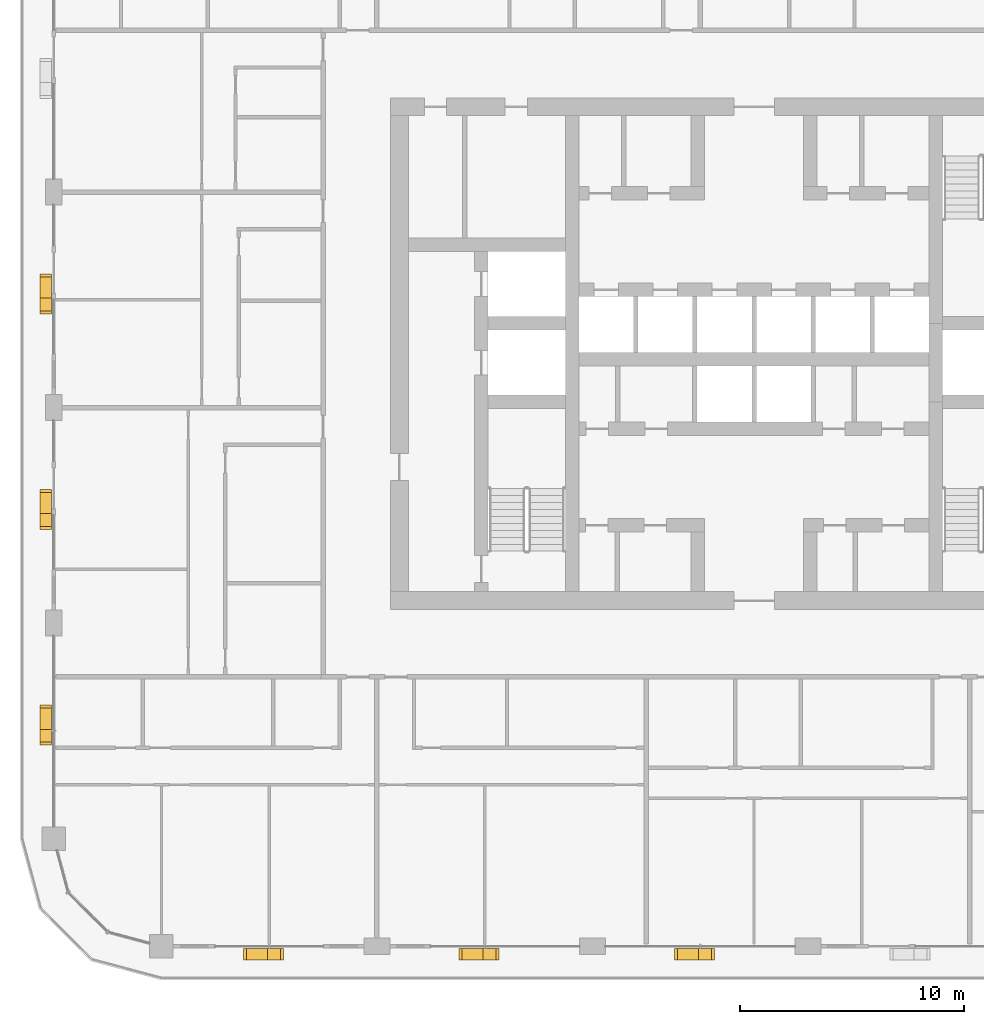
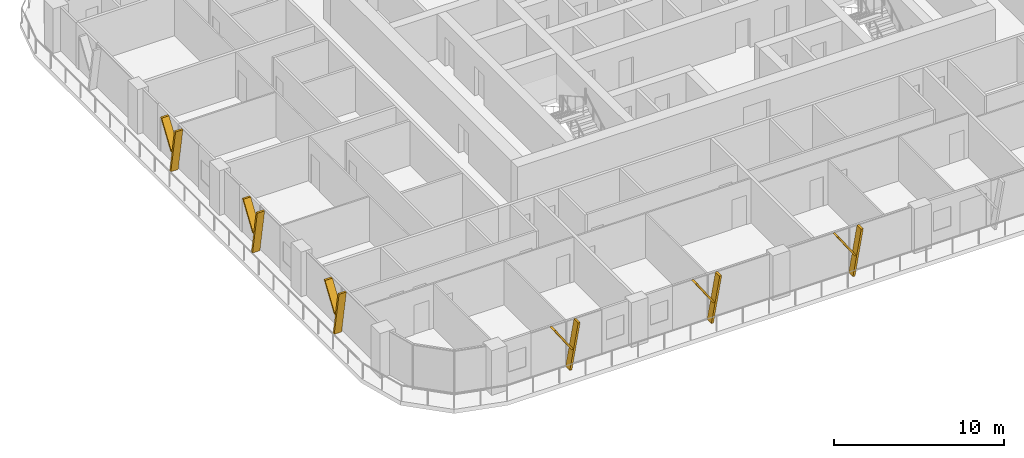
# One storey, part 17 of 22: 12 shading devices.
"""IFC4 building model written with IfcOpenShell, lengths in metres."""

from ifc_helpers import new_model, si_unit, direction, frame, origin, place, context, subcontext, project, spatial, polyline, outline, extrude, material, type_object, element, save


model = new_model("IFC4")

# Units and contexts
model_context = context("Model", 3, precision=1e-05, world=origin(), true_north=direction((0.0, 1.0)))
body_context = subcontext(model_context, "Body", "Model", "MODEL_VIEW")
ifc_project = project(units=[si_unit("LENGTHUNIT", "METRE"), si_unit("AREAUNIT", "SQUARE_METRE"), si_unit("VOLUMEUNIT", "CUBIC_METRE"), si_unit("PLANEANGLEUNIT", "RADIAN"), si_unit("MASSUNIT", "GRAM", prefix="KILO")], contexts=[model_context])

# Site, building, storey
site_placement = place(None, origin())
site = spatial("IfcSite", under=ifc_project, at=site_placement, CompositionType="ELEMENT")
building_placement = place(site_placement, origin())
building = spatial("IfcBuilding", under=site, at=building_placement, Name="Madar Terraces", CompositionType="ELEMENT")
storey_placement = place(building_placement, frame((0.0, 0.0, 156.0)))
storey = spatial("IfcBuildingStorey", under=building, at=storey_placement, Name="L40", CompositionType="ELEMENT", Elevation=156.0)

# Shading devices
ifc_material = material(Name="Aluminium, black anodised", Category="aluminium")
shading_device_type = type_object("IfcShadingDeviceType", Name="Facade fin blade 140 x 500", PredefinedType="USERDEFINED", material=ifc_material)
shading_device_1_placement = place(storey_placement, frame((9.530029296875, -0.35009765625, 0.0), z_axis=(0.0, 0.0, 1.0), x_axis=(1.0, 0.0, 0.0)))
element("IfcShadingDevice", 1, at=shading_device_1_placement, inside=storey, type_object=shading_device_type, Name="FIN L40 S1", ObjectType="FIN", PredefinedType="USERDEFINED", context=body_context, shape_type="SweptSolid", body=[
    extrude(outline(polyline([(0.0, 0.0), (0.139892578125, 0.0), (0.704345703125, 3.199951171875), (0.564208984375, 3.199951171875), (0.0, 0.0)])), frame((0.0, 0.25, 0.0), z_axis=(0.0, -1.0, 0.0), x_axis=(1.0, 0.0, 0.0)), (0.0, 0.0, 1.0), 0.5),
])
shading_device_2_placement = place(storey_placement, frame((9.643798828125, -0.35009765625, 1.43994140625), z_axis=(0.0, 0.0, 1.0), x_axis=(1.0, 0.0, 0.0)))
element("IfcShadingDevice", 2, at=shading_device_2_placement, inside=storey, type_object=shading_device_type, Name="FIN L40 S1 branch", ObjectType="FIN", PredefinedType="USERDEFINED", context=body_context, shape_type="SweptSolid", body=[
    extrude(outline(polyline([(0.0, 0.0), (0.14013671875, 0.0), (-1.049560546875, 1.760009765625), (-1.189697265625, 1.760009765625), (0.0, 0.0)])), frame((0.0, 0.25, 0.0), z_axis=(0.0, -1.0, 0.0), x_axis=(1.0, 0.0, 0.0)), (0.0, 0.0, 1.0), 0.5),
])
shading_device_3_placement = place(storey_placement, frame((19.1298828125, -0.35009765625, 0.0), z_axis=(0.0, 0.0, 1.0), x_axis=(1.0, 0.0, 0.0)))
element("IfcShadingDevice", 3, at=shading_device_3_placement, inside=storey, type_object=shading_device_type, Name="FIN L40 S2", ObjectType="FIN", PredefinedType="USERDEFINED", context=body_context, shape_type="SweptSolid", body=[
    extrude(outline(polyline([(0.0, 0.0), (0.14013671875, 0.0), (0.704345703125, 3.199951171875), (0.564208984375, 3.199951171875), (0.0, 0.0)])), frame((0.0, 0.25, 0.0), z_axis=(0.0, -1.0, 0.0), x_axis=(1.0, 0.0, 0.0)), (0.0, 0.0, 1.0), 0.5),
])
shading_device_4_placement = place(storey_placement, frame((19.243896484375, -0.35009765625, 1.43994140625), z_axis=(0.0, 0.0, 1.0), x_axis=(1.0, 0.0, 0.0)))
element("IfcShadingDevice", 4, at=shading_device_4_placement, inside=storey, type_object=shading_device_type, Name="FIN L40 S2 branch", ObjectType="FIN", PredefinedType="USERDEFINED", context=body_context, shape_type="SweptSolid", body=[
    extrude(outline(polyline([(0.0, 0.0), (0.139892578125, 0.0), (-1.049560546875, 1.760009765625), (-1.189697265625, 1.760009765625), (0.0, 0.0)])), frame((0.0, 0.25, 0.0), z_axis=(0.0, -1.0, 0.0), x_axis=(1.0, 0.0, 0.0)), (0.0, 0.0, 1.0), 0.5),
])
shading_device_5_placement = place(storey_placement, frame((28.72998046875, -0.35009765625, 0.0), z_axis=(0.0, 0.0, 1.0), x_axis=(1.0, 0.0, 0.0)))
element("IfcShadingDevice", 5, at=shading_device_5_placement, inside=storey, type_object=shading_device_type, Name="FIN L40 S3", ObjectType="FIN", PredefinedType="USERDEFINED", context=body_context, shape_type="SweptSolid", body=[
    extrude(outline(polyline([(0.0, 0.0), (0.14013671875, 0.0), (0.704345703125, 3.199951171875), (0.564208984375, 3.199951171875), (0.0, 0.0)])), frame((0.0, 0.25, 0.0), z_axis=(0.0, -1.0, 0.0), x_axis=(1.0, 0.0, 0.0)), (0.0, 0.0, 1.0), 0.5),
])
shading_device_6_placement = place(storey_placement, frame((28.843994140625, -0.35009765625, 1.43994140625), z_axis=(0.0, 0.0, 1.0), x_axis=(1.0, 0.0, 0.0)))
element("IfcShadingDevice", 6, at=shading_device_6_placement, inside=storey, type_object=shading_device_type, Name="FIN L40 S3 branch", ObjectType="FIN", PredefinedType="USERDEFINED", context=body_context, shape_type="SweptSolid", body=[
    extrude(outline(polyline([(0.0, 0.0), (0.139892578125, 0.0), (-1.049560546875, 1.760009765625), (-1.189697265625, 1.760009765625), (0.0, 0.0)])), frame((0.0, 0.25, 0.0), z_axis=(0.0, -1.0, 0.0), x_axis=(1.0, 0.0, 0.0)), (0.0, 0.0, 1.0), 0.5),
])
shading_device_7_placement = place(storey_placement, frame((-0.35009765625, 28.8701171875, 0.0), z_axis=(0.0, 0.0, 1.0), x_axis=(0.0, -1.0, 0.0)))
element("IfcShadingDevice", 7, at=shading_device_7_placement, inside=storey, type_object=shading_device_type, Name="FIN L40 W2", ObjectType="FIN", PredefinedType="USERDEFINED", context=body_context, shape_type="SweptSolid", body=[
    extrude(outline(polyline([(0.0, 0.0), (0.14013671875, 0.0), (0.704345703125, 3.199951171875), (0.564208984375, 3.199951171875), (0.0, 0.0)])), frame((0.0, 0.25, 0.0), z_axis=(0.0, -1.0, 0.0), x_axis=(1.0, 0.0, 0.0)), (0.0, 0.0, 1.0), 0.5),
])
shading_device_8_placement = place(storey_placement, frame((-0.35009765625, 28.756103515625, 1.43994140625), z_axis=(0.0, 0.0, 1.0), x_axis=(0.0, -1.0, 0.0)))
element("IfcShadingDevice", 8, at=shading_device_8_placement, inside=storey, type_object=shading_device_type, Name="FIN L40 W2 branch", ObjectType="FIN", PredefinedType="USERDEFINED", context=body_context, shape_type="SweptSolid", body=[
    extrude(outline(polyline([(0.0, 0.0), (0.139892578125, 0.0), (-1.049560546875, 1.760009765625), (-1.189697265625, 1.760009765625), (0.0, 0.0)])), frame((0.0, 0.25, 0.0), z_axis=(0.0, -1.0, 0.0), x_axis=(1.0, 0.0, 0.0)), (0.0, 0.0, 1.0), 0.5),
])
shading_device_9_placement = place(storey_placement, frame((-0.35009765625, 19.27001953125, 0.0), z_axis=(0.0, 0.0, 1.0), x_axis=(0.0, -1.0, 0.0)))
element("IfcShadingDevice", 9, at=shading_device_9_placement, inside=storey, type_object=shading_device_type, Name="FIN L40 W3", ObjectType="FIN", PredefinedType="USERDEFINED", context=body_context, shape_type="SweptSolid", body=[
    extrude(outline(polyline([(0.0, 0.0), (0.14013671875, 0.0), (0.704345703125, 3.199951171875), (0.564208984375, 3.199951171875), (0.0, 0.0)])), frame((0.0, 0.25, 0.0), z_axis=(0.0, -1.0, 0.0), x_axis=(1.0, 0.0, 0.0)), (0.0, 0.0, 1.0), 0.5),
])
shading_device_10_placement = place(storey_placement, frame((-0.35009765625, 19.156005859375, 1.43994140625), z_axis=(0.0, 0.0, 1.0), x_axis=(0.0, -1.0, 0.0)))
element("IfcShadingDevice", 10, at=shading_device_10_placement, inside=storey, type_object=shading_device_type, Name="FIN L40 W3 branch", ObjectType="FIN", PredefinedType="USERDEFINED", context=body_context, shape_type="SweptSolid", body=[
    extrude(outline(polyline([(0.0, 0.0), (0.139892578125, 0.0), (-1.049560546875, 1.760009765625), (-1.189697265625, 1.760009765625), (0.0, 0.0)])), frame((0.0, 0.25, 0.0), z_axis=(0.0, -1.0, 0.0), x_axis=(1.0, 0.0, 0.0)), (0.0, 0.0, 1.0), 0.5),
])
shading_device_11_placement = place(storey_placement, frame((-0.35009765625, 9.669921875, 0.0), z_axis=(0.0, 0.0, 1.0), x_axis=(0.0, -1.0, 0.0)))
element("IfcShadingDevice", 11, at=shading_device_11_placement, inside=storey, type_object=shading_device_type, Name="FIN L40 W4", ObjectType="FIN", PredefinedType="USERDEFINED", context=body_context, shape_type="SweptSolid", body=[
    extrude(outline(polyline([(0.0, 0.0), (0.139892578125, 0.0), (0.704345703125, 3.199951171875), (0.564208984375, 3.199951171875), (0.0, 0.0)])), frame((0.0, 0.25, 0.0), z_axis=(0.0, -1.0, 0.0), x_axis=(1.0, 0.0, 0.0)), (0.0, 0.0, 1.0), 0.5),
])
shading_device_12_placement = place(storey_placement, frame((-0.35009765625, 9.55615234375, 1.43994140625), z_axis=(0.0, 0.0, 1.0), x_axis=(0.0, -1.0, 0.0)))
element("IfcShadingDevice", 12, at=shading_device_12_placement, inside=storey, type_object=shading_device_type, Name="FIN L40 W4 branch", ObjectType="FIN", PredefinedType="USERDEFINED", context=body_context, shape_type="SweptSolid", body=[
    extrude(outline(polyline([(0.0, 0.0), (0.14013671875, 0.0), (-1.049560546875, 1.760009765625), (-1.189697265625, 1.760009765625), (0.0, 0.0)])), frame((0.0, 0.25, 0.0), z_axis=(0.0, -1.0, 0.0), x_axis=(1.0, 0.0, 0.0)), (0.0, 0.0, 1.0), 0.5),
])

save(model, "model.ifc")
